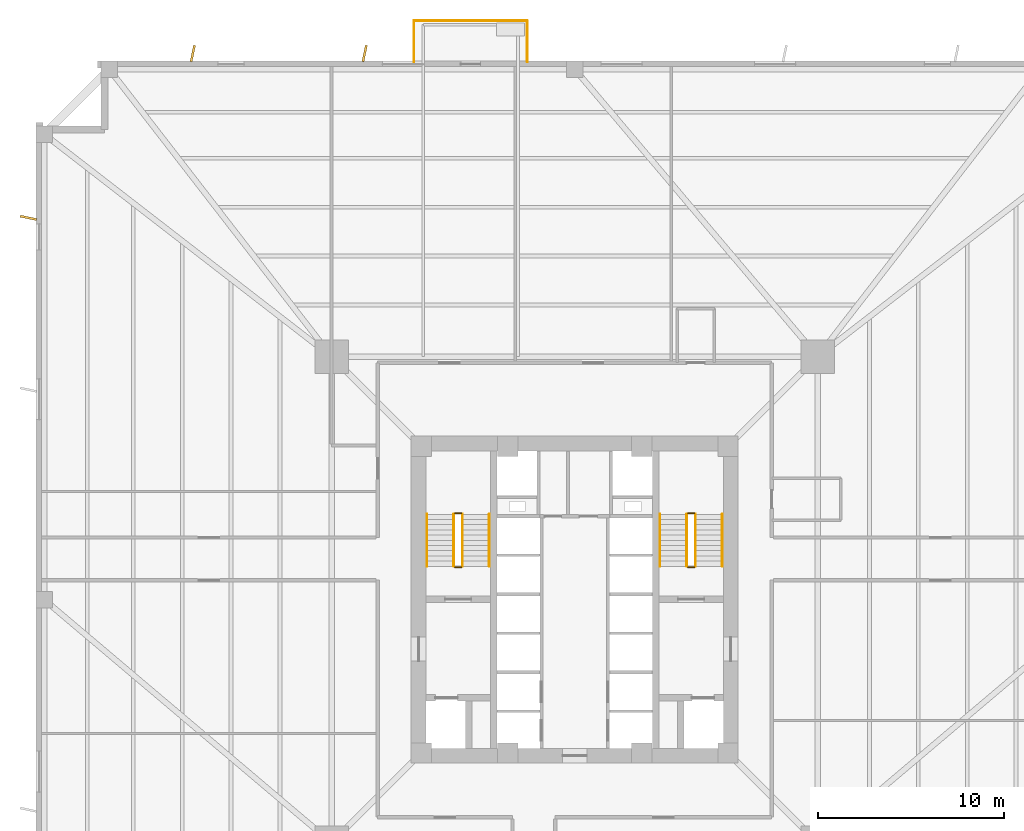
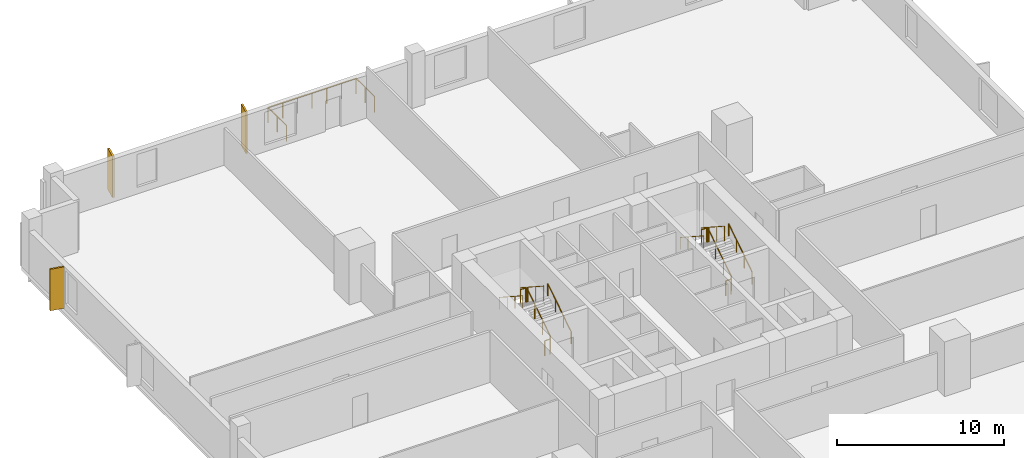
# One storey, part 7 of 8: 15 railings, 3 coverings.
"""IFC4 building model written with IfcOpenShell, lengths in metres."""

from ifc_helpers import new_model, si_unit, direction, frame, origin, origin_2d, place, context, subcontext, project, spatial, rectangle, circle, extrude, source, transform, mapped, material, layer, layer_set, type_object, element, save


model = new_model("IFC4")

# Units and contexts
model_context = context("Model", 3, precision=1e-05, world=origin(), true_north=direction((0.0, 1.0)))
body_context = subcontext(model_context, "Body", "Model", "MODEL_VIEW")
ifc_project = project(units=[si_unit("LENGTHUNIT", "METRE"), si_unit("AREAUNIT", "SQUARE_METRE"), si_unit("VOLUMEUNIT", "CUBIC_METRE"), si_unit("PLANEANGLEUNIT", "RADIAN"), si_unit("MASSUNIT", "GRAM", prefix="KILO"), si_unit("THERMODYNAMICTEMPERATUREUNIT", "KELVIN")], contexts=[model_context])

# Site, building, storey
site_placement = place(None, origin())
site = spatial("IfcSite", under=ifc_project, at=site_placement, CompositionType="ELEMENT")
building_placement = place(site_placement, origin())
building = spatial("IfcBuilding", under=site, at=building_placement, Name="Kosmvard Interchange Tower", CompositionType="ELEMENT")
storey_placement = place(building_placement, frame((0.0, 0.0, 62.0)))
storey = spatial("IfcBuildingStorey", under=building, at=storey_placement, Name="L14", CompositionType="ELEMENT", Elevation=62.0)

# Railings
ifc_material_1 = material(Name="Steel S355", Category="steel")
railing_type_1 = type_object("IfcRailingType", Name="Observation & Balcony Glass-Infill Balustrade 1150", PredefinedType="BALUSTRADE", material=ifc_material_1)
shared_shape_1 = source(origin(), body_context, "Body", "SweptSolid", [
    extrude(circle(Radius=0.02392578125, at=origin_2d()), frame((0.0, 0.0, 1.1259765625), z_axis=(0.0, -1.0, 0.0), x_axis=(1.0, 0.0, 0.0)), (0.0, 0.0, 1.0), 2.199951171875),
    extrude(circle(Radius=0.02099609375, at=origin_2d()), origin(), (0.0, 0.0, 1.0), 1.101806640625),
    extrude(circle(Radius=0.02099609375, at=origin_2d()), frame((0.0, -1.10009765625, 0.0)), (0.0, 0.0, 1.0), 1.101806640625),
    extrude(circle(Radius=0.02099609375, at=origin_2d()), frame((0.0, -2.199951171875, 0.0)), (0.0, 0.0, 1.0), 1.101806640625),
])
railing_1_placement = place(storey_placement, frame((-8.64990234375, 31.14990234375, 0.0)))
element("IfcRailing", 1, at=railing_1_placement, inside=storey, type_object=railing_type_1, Name="L14 Outdoor Terrace Guard BAL-L14-NE-C", PredefinedType="BALUSTRADE", context=body_context, shape_type="MappedRepresentation", body=[
    mapped(shared_shape_1, transform((0.0, 0.0, 0.0), scale=1.0)),
])
shared_shape_2 = source(origin(), body_context, "Body", "SweptSolid", [
    extrude(circle(Radius=0.02392578125, at=origin_2d()), frame((0.0, 0.0, 1.1259765625), z_axis=(0.0, 1.0, 0.0), x_axis=(-1.0, 0.0, 0.0)), (0.0, 0.0, 1.0), 2.199951171875),
    extrude(circle(Radius=0.02099609375, at=origin_2d()), origin(), (0.0, 0.0, 1.0), 1.101806640625),
    extrude(circle(Radius=0.02099609375, at=origin_2d()), frame((0.0, 1.10009765625, 0.0)), (0.0, 0.0, 1.0), 1.101806640625),
    extrude(circle(Radius=0.02099609375, at=origin_2d()), frame((0.0, 2.199951171875, 0.0)), (0.0, 0.0, 1.0), 1.101806640625),
])
railing_2_placement = place(storey_placement, frame((-2.550048828125, 28.949951171875, 0.0)))
element("IfcRailing", 2, at=railing_2_placement, inside=storey, type_object=railing_type_1, Name="L14 Outdoor Terrace Guard BAL-L14-NE-A", PredefinedType="BALUSTRADE", context=body_context, shape_type="MappedRepresentation", body=[
    mapped(shared_shape_2, transform((0.0, 0.0, 0.0), scale=1.0)),
])

# Coverings
ifc_material_2 = material(Name="Architectural anodised aluminium", Category="aluminium")
ifc_layer = layer(ifc_material_2, 0.1201171875, Name="Architectural anodised aluminium")
ifc_layer_set = layer_set([ifc_layer], Name="Architectural anodised aluminium")
covering_type = type_object("IfcCoveringType", Name="Rotating Vertical Sun-Breaker Fin 900x120 Aluminium", PredefinedType="CLADDING", material=ifc_layer_set)
shared_shape_3 = source(origin(), body_context, "Body", "SweptSolid", [
    extrude(rectangle(XDim=0.89990234375, YDim=0.1201171875, at=origin_2d()), origin(), (0.0, 0.0, 1.0), 3.0400390625),
])
for number, where, z_axis, x_axis, name in (
    (3, (-11.3037109375, 29.39990234375, 0.0400390625), (0.0, 0.0, 1.0), (0.206887263232, 0.978364788978, 0.0), "L14 Rotating Vertical Sun-Breaker Fin 11"),
    (4, (-20.552001953125, 29.39990234375, 0.0400390625), (0.0, 0.0, 1.0), (0.206887263232, 0.978364788978, 0.0), "L14 Rotating Vertical Sun-Breaker Fin 12"),
    (5, (-29.39990234375, 20.552001953125, 0.0400390625), (0.0, 0.0, 1.0), (-0.978364788978, 0.206887263232, 0.0), "L14 Rotating Vertical Sun-Breaker Fin 13"),
):
    element("IfcCovering", number, at=place(storey_placement, frame(where, z_axis=z_axis, x_axis=x_axis)), inside=storey, type_object=covering_type, Name=name, PredefinedType="CLADDING", context=body_context, shape_type="MappedRepresentation", body=[
        mapped(shared_shape_3, transform((0.0, 0.0, 0.0), scale=1.0)),
    ])

# Railings
shared_shape_4 = source(origin(), body_context, "Body", "SweptSolid", [
    extrude(circle(Radius=0.02392578125, at=origin_2d()), frame((0.0, 0.0, 1.1259765625), z_axis=(-1.0, 0.0, 0.0), x_axis=(0.0, -1.0, 0.0)), (0.0, 0.0, 1.0), 6.099853515625),
    extrude(circle(Radius=0.02099609375, at=origin_2d()), origin(), (0.0, 0.0, 1.0), 1.101806640625),
    extrude(circle(Radius=0.02099609375, at=origin_2d()), frame((-1.0166015625, 0.0, 0.0)), (0.0, 0.0, 1.0), 1.101806640625),
    extrude(circle(Radius=0.02099609375, at=origin_2d()), frame((-2.033203125, 0.0, 0.0)), (0.0, 0.0, 1.0), 1.101806640625),
    extrude(circle(Radius=0.02099609375, at=origin_2d()), frame((-3.0498046875, 0.0, 0.0)), (0.0, 0.0, 1.0), 1.101806640625),
    extrude(circle(Radius=0.02099609375, at=origin_2d()), frame((-4.066650390625, 0.0, 0.0)), (0.0, 0.0, 1.0), 1.101806640625),
    extrude(circle(Radius=0.02099609375, at=origin_2d()), frame((-5.083251953125, 0.0, 0.0)), (0.0, 0.0, 1.0), 1.101806640625),
    extrude(circle(Radius=0.02099609375, at=origin_2d()), frame((-6.099853515625, 0.0, 0.0)), (0.0, 0.0, 1.0), 1.101806640625),
])
railing_3_placement = place(storey_placement, frame((-2.550048828125, 31.14990234375, 0.0)))
element("IfcRailing", 6, at=railing_3_placement, inside=storey, type_object=railing_type_1, Name="L14 Outdoor Terrace Guard BAL-L14-NE-B", PredefinedType="BALUSTRADE", context=body_context, shape_type="MappedRepresentation", body=[
    mapped(shared_shape_4, transform((0.0, 0.0, 0.0), scale=1.0)),
])
railing_type_2 = type_object("IfcRailingType", Name="Stair & Terrace Safety Guardrail 1100 Steel", PredefinedType="GUARDRAIL", material=ifc_material_1)
shared_shape_5 = source(origin(), body_context, "Body", "SweptSolid", [
    extrude(circle(Radius=0.02392578125, at=origin_2d()), frame((0.0, 0.0, 1.076171875), z_axis=(-1.0, 0.0, 0.0), x_axis=(0.0, -1.0, 0.0)), (0.0, 0.0, 1.0), 0.35986328125),
    extrude(circle(Radius=0.02099609375, at=origin_2d()), origin(), (0.0, 0.0, 1.0), 1.052001953125),
    extrude(circle(Radius=0.02099609375, at=origin_2d()), frame((-0.35986328125, 0.0, 0.0)), (0.0, 0.0, 1.0), 1.052001953125),
])
for number, where, name in (
    (7, (-6.090087890625, 4.64990234375, 2.0), "L14 ST-1 stair guard 2"),
    (8, (-6.090087890625, 1.75, 0.0), "L14 ST-1 stair guard 4"),
    (9, (6.449951171875, 4.64990234375, 2.0), "L14 ST-2 stair guard 2"),
    (10, (6.449951171875, 1.75, 0.0), "L14 ST-2 stair guard 4"),
):
    element("IfcRailing", number, at=place(storey_placement, frame(where)), inside=storey, type_object=railing_type_2, Name=name, PredefinedType="GUARDRAIL", context=body_context, shape_type="MappedRepresentation", body=[
        mapped(shared_shape_5, transform((0.0, 0.0, 0.0), scale=1.0)),
    ])
shared_shape_6 = source(origin(), body_context, "Body", "SweptSolid", [
    extrude(circle(Radius=0.02392578125, at=origin_2d()), frame((0.0, 0.0, 1.076171875), z_axis=(0.0, 0.838705829183, 0.544584733623), x_axis=(-1.0, 0.0, 0.0)), (0.0, 0.0, 1.0), 3.338623046875),
    extrude(circle(Radius=0.02099609375, at=origin_2d()), origin(), (0.0, 0.0, 1.0), 1.052001953125),
    extrude(circle(Radius=0.02099609375, at=origin_2d()), frame((0.0, 0.933349609375, 0.60595703125)), (0.0, 0.0, 1.0), 1.052001953125),
    extrude(circle(Radius=0.02099609375, at=origin_2d()), frame((0.0, 1.86669921875, 1.212158203125)), (0.0, 0.0, 1.0), 1.052001953125),
    extrude(circle(Radius=0.02099609375, at=origin_2d()), frame((0.0, 2.800048828125, 1.818115234375)), (0.0, 0.0, 1.0), 1.052001953125),
])
for number, where, name in (
    (11, (-6.0400390625, 1.800048828125, 0.181884765625), "L14 ST-1 stair guard 1"),
    (12, (6.5, 1.800048828125, 0.181884765625), "L14 ST-2 stair guard 1"),
):
    element("IfcRailing", number, at=place(storey_placement, frame(where)), inside=storey, type_object=railing_type_2, Name=name, PredefinedType="GUARDRAIL", context=body_context, shape_type="MappedRepresentation", body=[
        mapped(shared_shape_6, transform((0.0, 0.0, 0.0), scale=1.0)),
    ])
shared_shape_7 = source(origin(), body_context, "Body", "SweptSolid", [
    extrude(circle(Radius=0.02392578125, at=origin_2d()), frame((0.0, 0.0, 1.076171875), z_axis=(0.0, -0.838705829183, 0.544584733623), x_axis=(1.0, 0.0, 0.0)), (0.0, 0.0, 1.0), 3.338623046875),
    extrude(circle(Radius=0.02099609375, at=origin_2d()), origin(), (0.0, 0.0, 1.0), 1.052001953125),
    extrude(circle(Radius=0.02099609375, at=origin_2d()), frame((0.0, -0.933349609375, 0.60595703125)), (0.0, 0.0, 1.0), 1.052001953125),
    extrude(circle(Radius=0.02099609375, at=origin_2d()), frame((0.0, -1.86669921875, 1.212158203125)), (0.0, 0.0, 1.0), 1.052001953125),
    extrude(circle(Radius=0.02099609375, at=origin_2d()), frame((0.0, -2.800048828125, 1.818115234375)), (0.0, 0.0, 1.0), 1.052001953125),
])
for number, where, name in (
    (13, (-6.5, 4.60009765625, 2.181884765625), "L14 ST-1 stair guard 3"),
    (14, (6.0400390625, 4.60009765625, 2.181884765625), "L14 ST-2 stair guard 3"),
):
    element("IfcRailing", number, at=place(storey_placement, frame(where)), inside=storey, type_object=railing_type_2, Name=name, PredefinedType="GUARDRAIL", context=body_context, shape_type="MappedRepresentation", body=[
        mapped(shared_shape_7, transform((0.0, 0.0, 0.0), scale=1.0)),
    ])
railing_type_3 = type_object("IfcRailingType", Name="Wall-Mounted Stair Handrail 900 Steel", PredefinedType="HANDRAIL", material=ifc_material_1)
shared_shape_8 = source(origin(), body_context, "Body", "SweptSolid", [
    extrude(circle(Radius=0.02392578125, at=origin_2d()), frame((0.0, 0.0, 0.8759765625), z_axis=(0.0, 0.838705829183, 0.544584733623), x_axis=(-1.0, 0.0, 0.0)), (0.0, 0.0, 1.0), 3.338623046875),
    extrude(circle(Radius=0.02099609375, at=origin_2d()), origin(), (0.0, 0.0, 1.0), 0.851806640625),
    extrude(circle(Radius=0.02099609375, at=origin_2d()), frame((0.0, 0.933349609375, 0.60595703125)), (0.0, 0.0, 1.0), 0.851806640625),
    extrude(circle(Radius=0.02099609375, at=origin_2d()), frame((0.0, 1.86669921875, 1.212158203125)), (0.0, 0.0, 1.0), 0.851806640625),
    extrude(circle(Radius=0.02099609375, at=origin_2d()), frame((0.0, 2.800048828125, 1.818115234375)), (0.0, 0.0, 1.0), 0.851806640625),
])
for number, where, name in (
    (15, (-4.590087890625, 1.800048828125, 0.181884765625), "L14 ST-1 stair handrail 1"),
    (16, (7.949951171875, 1.800048828125, 0.181884765625), "L14 ST-2 stair handrail 1"),
):
    element("IfcRailing", number, at=place(storey_placement, frame(where)), inside=storey, type_object=railing_type_3, Name=name, PredefinedType="HANDRAIL", context=body_context, shape_type="MappedRepresentation", body=[
        mapped(shared_shape_8, transform((0.0, 0.0, 0.0), scale=1.0)),
    ])
shared_shape_9 = source(origin(), body_context, "Body", "SweptSolid", [
    extrude(circle(Radius=0.02392578125, at=origin_2d()), frame((0.0, 0.0, 0.8759765625), z_axis=(0.0, -0.838705829183, 0.544584733623), x_axis=(1.0, 0.0, 0.0)), (0.0, 0.0, 1.0), 3.338623046875),
    extrude(circle(Radius=0.02099609375, at=origin_2d()), origin(), (0.0, 0.0, 1.0), 0.851806640625),
    extrude(circle(Radius=0.02099609375, at=origin_2d()), frame((0.0, -0.933349609375, 0.60595703125)), (0.0, 0.0, 1.0), 0.851806640625),
    extrude(circle(Radius=0.02099609375, at=origin_2d()), frame((0.0, -1.86669921875, 1.212158203125)), (0.0, 0.0, 1.0), 0.851806640625),
    extrude(circle(Radius=0.02099609375, at=origin_2d()), frame((0.0, -2.800048828125, 1.818115234375)), (0.0, 0.0, 1.0), 0.851806640625),
])
for number, where, name in (
    (17, (-7.949951171875, 4.60009765625, 2.181884765625), "L14 ST-1 stair handrail 2"),
    (18, (4.590087890625, 4.60009765625, 2.181884765625), "L14 ST-2 stair handrail 2"),
):
    element("IfcRailing", number, at=place(storey_placement, frame(where)), inside=storey, type_object=railing_type_3, Name=name, PredefinedType="HANDRAIL", context=body_context, shape_type="MappedRepresentation", body=[
        mapped(shared_shape_9, transform((0.0, 0.0, 0.0), scale=1.0)),
    ])

save(model, "model.ifc")
